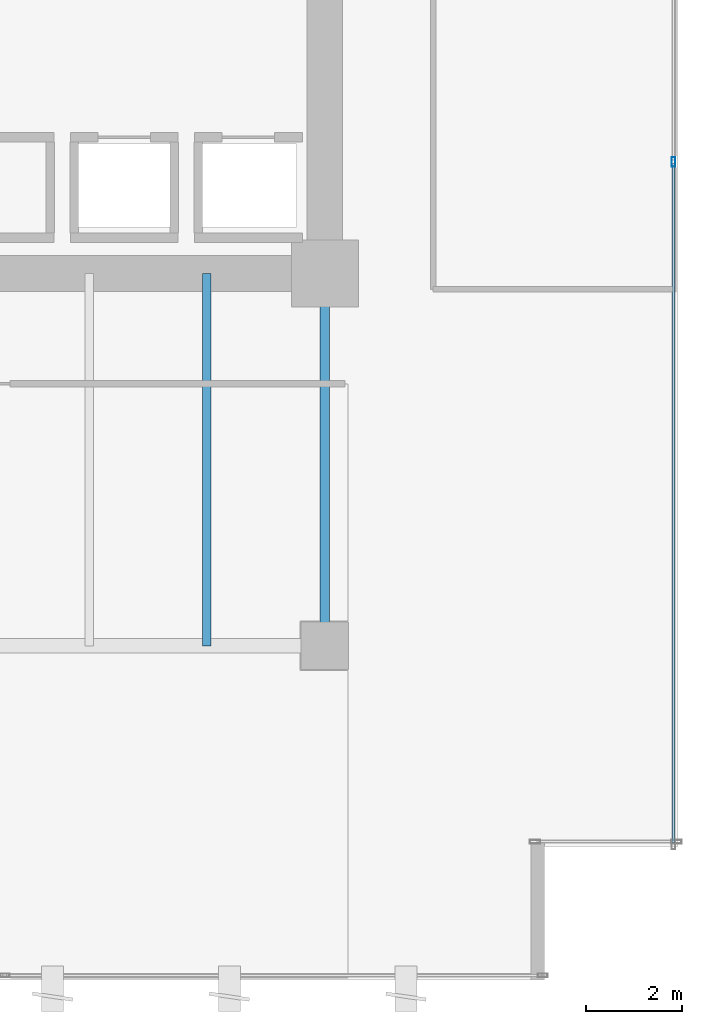
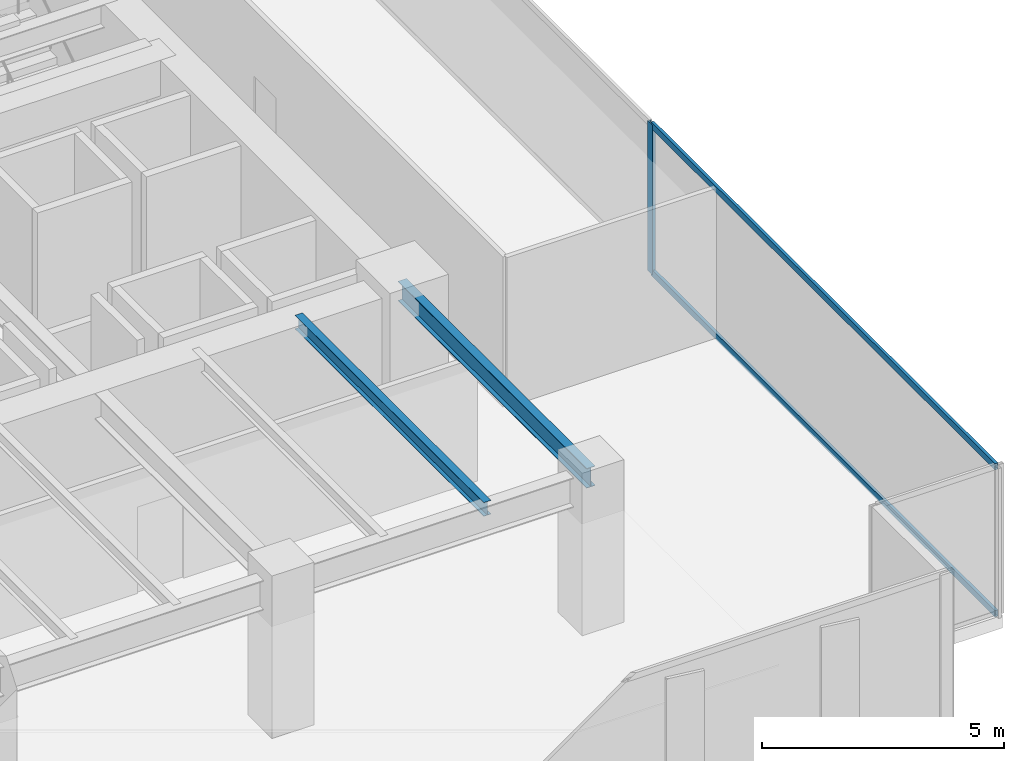
# One storey, part 24 of 37: 3 members, 2 beams, 1 element without a shape of its own.
"""IFC4 building model written with IfcOpenShell, lengths in metres."""

from ifc_helpers import new_model, si_unit, direction, frame, origin, origin_2d, place, context, subcontext, project, spatial, hollow_rectangle, i_section, extrude, source, transform, mapped, material, layer, layer_set, material_profile, profile_set, type_object, type_shapes, element, aggregate, save


model = new_model("IFC4")

# Units and contexts
model_context = context("Model", 3, precision=1e-05, world=origin(), true_north=direction((0.0, 1.0)))
body_context = subcontext(model_context, "Body", "Model", "MODEL_VIEW")
ifc_project = project(units=[si_unit("LENGTHUNIT", "METRE"), si_unit("AREAUNIT", "SQUARE_METRE"), si_unit("VOLUMEUNIT", "CUBIC_METRE"), si_unit("PLANEANGLEUNIT", "RADIAN"), si_unit("MASSUNIT", "GRAM", prefix="KILO")], contexts=[model_context])

# Site, building, storey
site_placement = place(None, origin())
site = spatial("IfcSite", under=ifc_project, at=site_placement, CompositionType="ELEMENT")
building_placement = place(site_placement, origin())
building = spatial("IfcBuilding", under=site, at=building_placement, Name="Haelvirn Gate Laboratories", CompositionType="ELEMENT")
storey_placement = place(building_placement, frame((0.0, 0.0, 74.39990234375)))
storey = spatial("IfcBuildingStorey", under=building, at=storey_placement, Name="L18", CompositionType="ELEMENT", Elevation=74.39990234375)

# Beams
ifc_material_1 = material(Name="Steel SM355", Category="steel")
ifc_material_profile_1 = material_profile(ifc_material_1, i_section(OverallWidth=0.199951171875, OverallDepth=0.5, WebThickness=0.010009765625, FlangeThickness=0.01611328125, at=origin_2d()), Name="H-500x200x10x16")
ifc_profile_set_1 = profile_set([ifc_material_profile_1], Name="Steel SM355")
beam_type_1 = type_object("IfcBeamType", Name="BM-SP-500", PredefinedType="SPANDREL", material=ifc_profile_set_1)
shared_shape_1 = source(origin(), body_context, "Body", "SweptSolid", [
    extrude(i_section(OverallWidth=0.199951171875, OverallDepth=0.5, WebThickness=0.010009765625, FlangeThickness=0.01611328125, at=origin_2d()), origin(), (0.0, 0.0, 1.0), 7.800048828125),
])
type_shapes(beam_type_1, [shared_shape_1])
beam_1_placement = place(storey_placement, frame((67.39990234375, 7.0, 3.530029296875), z_axis=(0.0, 1.0, 0.0), x_axis=(-1.0, 0.0, 0.0)))
element("IfcBeam", 1, at=beam_1_placement, inside=storey, type_object=beam_type_1, Name="L18 Perimeter Spandrel X67.4 (7.0-14.8)", PredefinedType="SPANDREL", context=body_context, shape_type="MappedRepresentation", body=[
    mapped(shared_shape_1, transform((0.0, 0.0, 0.0), scale=1.0)),
])
ifc_material_profile_2 = material_profile(ifc_material_1, i_section(OverallWidth=0.175048828125, OverallDepth=0.35009765625, WebThickness=0.007080078125, FlangeThickness=0.010986328125, at=origin_2d()), Name="H-350x175x7x11")
ifc_profile_set_2 = profile_set([ifc_material_profile_2], Name="Steel SM355")
beam_type_2 = type_object("IfcBeamType", Name="BM-J-350", PredefinedType="JOIST", material=ifc_profile_set_2)
shared_shape_2 = source(origin(), body_context, "Body", "SweptSolid", [
    extrude(i_section(OverallWidth=0.175048828125, OverallDepth=0.35009765625, WebThickness=0.007080078125, FlangeThickness=0.010986328125, at=origin_2d()), origin(), (0.0, 0.0, 1.0), 7.800048828125),
])
type_shapes(beam_type_2, [shared_shape_2])
beam_2_placement = place(storey_placement, frame((64.929931640625, 7.0, 3.60498046875), z_axis=(0.0, 1.0, 0.0), x_axis=(-1.0, 0.0, 0.0)))
element("IfcBeam", 2, at=beam_2_placement, inside=storey, type_object=beam_type_2, Name="L18 Composite Lab Joist South X64.93", PredefinedType="JOIST", context=body_context, shape_type="MappedRepresentation", body=[
    mapped(shared_shape_2, transform((0.0, 0.0, 0.0), scale=1.0)),
])

# Curtain wall, members
ifc_material_2 = material(Name="Anodised bronze unitised aluminium & triple low-E glass", Category="aluminium")
ifc_layer = layer(ifc_material_2, 0.18408203125, Name="CW-SYS-2")
ifc_layer_set = layer_set([ifc_layer], Name="Anodised bronze unitised aluminium & triple low-E glass")
curtain_wall_type = type_object("IfcCurtainWallType", Name="CW-SYS-2", PredefinedType="NOTDEFINED", material=ifc_layer_set)
curtain_wall_placement = place(storey_placement, origin())
curtain_wall = element("IfcCurtainWall", 3, at=curtain_wall_placement, inside=storey, type_object=curtain_wall_type, Name="L18 Unitised Curtain Wall CW-L18-P0-E07", PredefinedType="NOTDEFINED")
ifc_material_3 = material(Name="Extruded aluminium 6063-T6 (anodised bronze)", Category="aluminium")
ifc_material_profile_3 = material_profile(ifc_material_3, hollow_rectangle(XDim=0.074951171875, YDim=0.199951171875, WallThickness=0.0048828125, at=origin_2d()), Name="CWM-200x75x5")
ifc_profile_set_3 = profile_set([ifc_material_profile_3], Name="Extruded aluminium 6063-T6 (anodised bronze)")
member_type_1 = type_object("IfcMemberType", Name="CWM-T200", PredefinedType="MULLION", material=ifc_profile_set_3)
shared_shape_3 = source(origin(), body_context, "Body", "SweptSolid", [
    extrude(hollow_rectangle(XDim=0.074951171875, YDim=0.199951171875, WallThickness=0.0048828125, at=origin_2d()), origin(), (0.0, 0.0, 1.0), 3.780029296875),
])
type_shapes(member_type_1, [shared_shape_3])
member_1_placement = place(storey_placement, frame((74.699951171875, 17.13330078125, 0.0), z_axis=(0.0, 0.0, 1.0), x_axis=(-1.0, 0.0, 0.0)))
member_1 = element("IfcMember", 4, at=member_1_placement, type_object=member_type_1, Name="CW2 mullion 2", PredefinedType="MULLION", context=body_context, shape_type="MappedRepresentation", body=[
    mapped(shared_shape_3, transform((0.0, 0.0, 0.0), scale=1.0)),
])
ifc_material_profile_4 = material_profile(ifc_material_3, hollow_rectangle(XDim=0.070068359375, YDim=0.159912109375, WallThickness=0.0048828125, at=origin_2d()), Name="CWT-160x70x5")
ifc_profile_set_4 = profile_set([ifc_material_profile_4], Name="Extruded aluminium 6063-T6 (anodised bronze)")
member_type_2 = type_object("IfcMemberType", Name="CWT-T160", PredefinedType="USERDEFINED", material=ifc_profile_set_4)
shared_shape_4 = source(origin(), body_context, "Body", "SweptSolid", [
    extrude(hollow_rectangle(XDim=0.070068359375, YDim=0.159912109375, WallThickness=0.0048828125, at=origin_2d()), origin(), (0.0, 0.0, 1.0), 14.220947265625),
])
type_shapes(member_type_2, [shared_shape_4])
member_2_placement = place(storey_placement, frame((74.699951171875, 2.875, 0.03515625), z_axis=(0.0, 1.0, 0.0), x_axis=(-1.0, 0.0, 0.0)))
member_2 = element("IfcMember", 5, at=member_2_placement, type_object=member_type_2, Name="CW2 transom 1.1", ObjectType="TRANSOM", PredefinedType="USERDEFINED", context=body_context, shape_type="MappedRepresentation", body=[
    mapped(shared_shape_4, transform((0.0, 0.0, 0.0), scale=1.0)),
])
member_3_placement = place(storey_placement, frame((74.699951171875, 2.875, 3.7451171875), z_axis=(0.0, 1.0, 0.0), x_axis=(-1.0, 0.0, 0.0)))
member_3 = element("IfcMember", 6, at=member_3_placement, type_object=member_type_2, Name="CW2 transom 1.2", ObjectType="TRANSOM", PredefinedType="USERDEFINED", context=body_context, shape_type="MappedRepresentation", body=[
    mapped(shared_shape_4, transform((0.0, 0.0, 0.0), scale=1.0)),
])
aggregate(curtain_wall, [member_1, member_2, member_3])

save(model, "model.ifc")
